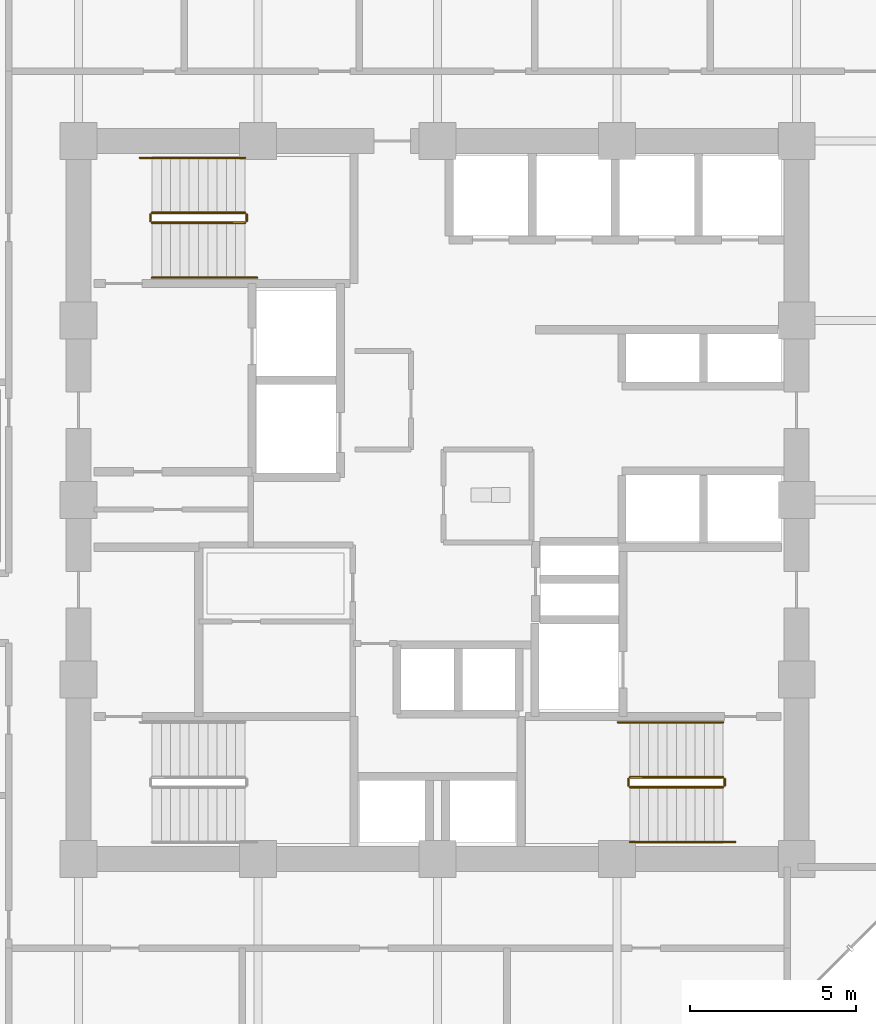
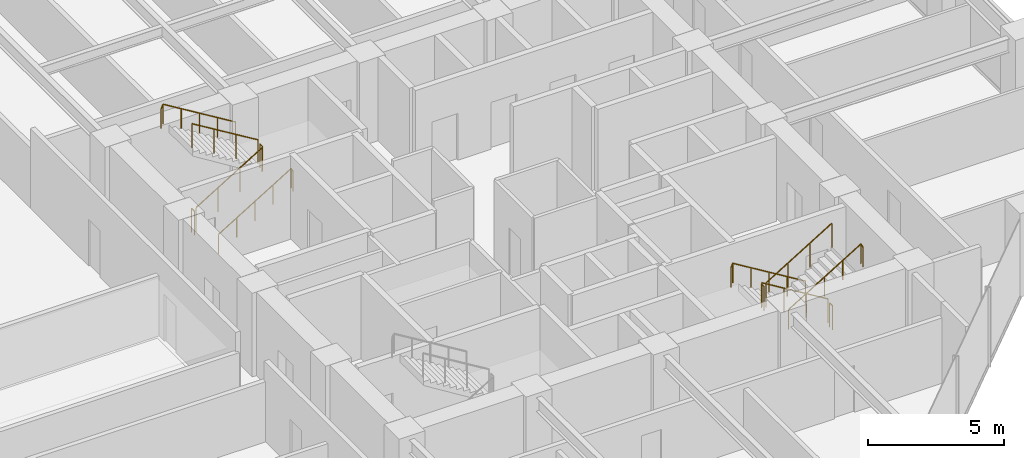
# One storey, part 24 of 25: 12 railings.
"""IFC4 building model written with IfcOpenShell, lengths in metres."""

from ifc_helpers import new_model, si_unit, direction, frame, origin, origin_2d, place, context, subcontext, project, spatial, circle, extrude, material, type_object, element, save


model = new_model("IFC4")

# Units and contexts
model_context = context("Model", 3, precision=1e-05, world=origin(), true_north=direction((0.0, 1.0)))
body_context = subcontext(model_context, "Body", "Model", "MODEL_VIEW")
ifc_project = project(units=[si_unit("LENGTHUNIT", "METRE"), si_unit("AREAUNIT", "SQUARE_METRE"), si_unit("VOLUMEUNIT", "CUBIC_METRE"), si_unit("PLANEANGLEUNIT", "RADIAN"), si_unit("MASSUNIT", "GRAM", prefix="KILO")], contexts=[model_context])

# Site, building, storey
site_placement = place(None, origin())
site = spatial("IfcSite", under=ifc_project, at=site_placement, CompositionType="ELEMENT")
building_placement = place(site_placement, origin())
building = spatial("IfcBuilding", under=site, at=building_placement, Name="Surkhivell Harbour Commons", CompositionType="ELEMENT")
storey_placement = place(building_placement, frame((0.0, 0.0, 124.5)))
storey = spatial("IfcBuildingStorey", under=building, at=storey_placement, Name="L32", CompositionType="ELEMENT", Elevation=124.5)

# Railings
ifc_material_1 = material(Name="Galvanised and painted steel S355 guard rail", Category="steel")
railing_type_1 = type_object("IfcRailingType", Name="RAL-ST-GRD1100", PredefinedType="GUARDRAIL", material=ifc_material_1)
railing_1_placement = place(storey_placement, frame((-8.590087890625, 8.340087890625, 0.17041015625)))
element("IfcRailing", 1, at=railing_1_placement, inside=storey, type_object=railing_type_1, Name="L32 ST1 stair guard 1", PredefinedType="GUARDRAIL", context=body_context, shape_type="SweptSolid", body=[
    extrude(circle(Radius=0.02392578125, at=origin_2d()), frame((0.0, 0.0, 1.076171875), z_axis=(0.854169791009, 0.0, 0.51999420009), x_axis=(0.0, 1.0, 0.0)), (0.0, 0.0, 1.0), 3.278076171875),
    extrude(circle(Radius=0.02099609375, at=origin_2d()), origin(), (0.0, 0.0, 1.0), 1.052001953125),
    extrude(circle(Radius=0.02099609375, at=origin_2d()), frame((0.933349609375, 0.0, 0.568115234375)), (0.0, 0.0, 1.0), 1.052001953125),
    extrude(circle(Radius=0.02099609375, at=origin_2d()), frame((1.86669921875, 0.0, 1.136474609375)), (0.0, 0.0, 1.0), 1.052001953125),
    extrude(circle(Radius=0.02099609375, at=origin_2d()), frame((2.800048828125, 0.0, 1.70458984375)), (0.0, 0.0, 1.0), 1.052001953125),
])
railing_2_placement = place(storey_placement, frame((-5.739990234375, 8.389892578125, 1.875)))
element("IfcRailing", 2, at=railing_2_placement, inside=storey, type_object=railing_type_1, Name="L32 ST1 stair guard 2", PredefinedType="GUARDRAIL", context=body_context, shape_type="SweptSolid", body=[
    extrude(circle(Radius=0.02392578125, at=origin_2d()), frame((0.0, 0.0, 1.076171875), z_axis=(0.0, 1.0, 0.0), x_axis=(-1.0, 0.0, 0.0)), (0.0, 0.0, 1.0), 0.2001953125),
    extrude(circle(Radius=0.02099609375, at=origin_2d()), origin(), (0.0, 0.0, 1.0), 1.052001953125),
    extrude(circle(Radius=0.02099609375, at=origin_2d()), frame((0.0, 0.2001953125, 0.0)), (0.0, 0.0, 1.0), 1.052001953125),
])
railing_3_placement = place(storey_placement, frame((-5.7900390625, 8.639892578125, 2.04541015625)))
element("IfcRailing", 3, at=railing_3_placement, inside=storey, type_object=railing_type_1, Name="L32 ST1 stair guard 3", PredefinedType="GUARDRAIL", context=body_context, shape_type="SweptSolid", body=[
    extrude(circle(Radius=0.02392578125, at=origin_2d()), frame((0.0, 0.0, 1.076171875), z_axis=(-0.854169791009, 0.0, 0.51999420009), x_axis=(0.0, -1.0, 0.0)), (0.0, 0.0, 1.0), 3.278076171875),
    extrude(circle(Radius=0.02099609375, at=origin_2d()), origin(), (0.0, 0.0, 1.0), 1.052001953125),
    extrude(circle(Radius=0.02099609375, at=origin_2d()), frame((-0.933349609375, 0.0, 0.568115234375)), (0.0, 0.0, 1.0), 1.052001953125),
    extrude(circle(Radius=0.02099609375, at=origin_2d()), frame((-1.86669921875, 0.0, 1.136474609375)), (0.0, 0.0, 1.0), 1.052001953125),
    extrude(circle(Radius=0.02099609375, at=origin_2d()), frame((-2.800048828125, 0.0, 1.70458984375)), (0.0, 0.0, 1.0), 1.052001953125),
])
railing_4_placement = place(storey_placement, frame((-8.639892578125, 8.389892578125, 0.0)))
element("IfcRailing", 4, at=railing_4_placement, inside=storey, type_object=railing_type_1, Name="L32 ST1 stair guard 4", PredefinedType="GUARDRAIL", context=body_context, shape_type="SweptSolid", body=[
    extrude(circle(Radius=0.02392578125, at=origin_2d()), frame((0.0, 0.0, 1.076171875), z_axis=(0.0, 1.0, 0.0), x_axis=(-1.0, 0.0, 0.0)), (0.0, 0.0, 1.0), 0.2001953125),
    extrude(circle(Radius=0.02099609375, at=origin_2d()), origin(), (0.0, 0.0, 1.0), 1.052001953125),
    extrude(circle(Radius=0.02099609375, at=origin_2d()), frame((0.0, 0.2001953125, 0.0)), (0.0, 0.0, 1.0), 1.052001953125),
])
railing_5_placement = place(storey_placement, frame((8.590087890625, -8.340087890625, 0.17041015625)))
element("IfcRailing", 5, at=railing_5_placement, inside=storey, type_object=railing_type_1, Name="L32 ST2 stair guard 1", PredefinedType="GUARDRAIL", context=body_context, shape_type="SweptSolid", body=[
    extrude(circle(Radius=0.02392578125, at=origin_2d()), frame((0.0, 0.0, 1.076171875), z_axis=(-0.854169791009, 0.0, 0.51999420009), x_axis=(0.0, -1.0, 0.0)), (0.0, 0.0, 1.0), 3.278076171875),
    extrude(circle(Radius=0.02099609375, at=origin_2d()), origin(), (0.0, 0.0, 1.0), 1.052001953125),
    extrude(circle(Radius=0.02099609375, at=origin_2d()), frame((-0.933349609375, 0.0, 0.568115234375)), (0.0, 0.0, 1.0), 1.052001953125),
    extrude(circle(Radius=0.02099609375, at=origin_2d()), frame((-1.86669921875, 0.0, 1.136474609375)), (0.0, 0.0, 1.0), 1.052001953125),
    extrude(circle(Radius=0.02099609375, at=origin_2d()), frame((-2.800048828125, 0.0, 1.70458984375)), (0.0, 0.0, 1.0), 1.052001953125),
])
railing_6_placement = place(storey_placement, frame((5.739990234375, -8.389892578125, 1.875)))
element("IfcRailing", 6, at=railing_6_placement, inside=storey, type_object=railing_type_1, Name="L32 ST2 stair guard 2", PredefinedType="GUARDRAIL", context=body_context, shape_type="SweptSolid", body=[
    extrude(circle(Radius=0.02392578125, at=origin_2d()), frame((0.0, 0.0, 1.076171875), z_axis=(0.0, -1.0, 0.0), x_axis=(1.0, 0.0, 0.0)), (0.0, 0.0, 1.0), 0.2001953125),
    extrude(circle(Radius=0.02099609375, at=origin_2d()), origin(), (0.0, 0.0, 1.0), 1.052001953125),
    extrude(circle(Radius=0.02099609375, at=origin_2d()), frame((0.0, -0.2001953125, 0.0)), (0.0, 0.0, 1.0), 1.052001953125),
])
railing_7_placement = place(storey_placement, frame((5.7900390625, -8.639892578125, 2.04541015625)))
element("IfcRailing", 7, at=railing_7_placement, inside=storey, type_object=railing_type_1, Name="L32 ST2 stair guard 3", PredefinedType="GUARDRAIL", context=body_context, shape_type="SweptSolid", body=[
    extrude(circle(Radius=0.02392578125, at=origin_2d()), frame((0.0, 0.0, 1.076171875), z_axis=(0.854169791009, 0.0, 0.51999420009), x_axis=(0.0, 1.0, 0.0)), (0.0, 0.0, 1.0), 3.278076171875),
    extrude(circle(Radius=0.02099609375, at=origin_2d()), origin(), (0.0, 0.0, 1.0), 1.052001953125),
    extrude(circle(Radius=0.02099609375, at=origin_2d()), frame((0.933349609375, 0.0, 0.568115234375)), (0.0, 0.0, 1.0), 1.052001953125),
    extrude(circle(Radius=0.02099609375, at=origin_2d()), frame((1.86669921875, 0.0, 1.136474609375)), (0.0, 0.0, 1.0), 1.052001953125),
    extrude(circle(Radius=0.02099609375, at=origin_2d()), frame((2.800048828125, 0.0, 1.70458984375)), (0.0, 0.0, 1.0), 1.052001953125),
])
railing_8_placement = place(storey_placement, frame((8.639892578125, -8.389892578125, 0.0)))
element("IfcRailing", 8, at=railing_8_placement, inside=storey, type_object=railing_type_1, Name="L32 ST2 stair guard 4", PredefinedType="GUARDRAIL", context=body_context, shape_type="SweptSolid", body=[
    extrude(circle(Radius=0.02392578125, at=origin_2d()), frame((0.0, 0.0, 1.076171875), z_axis=(0.0, -1.0, 0.0), x_axis=(1.0, 0.0, 0.0)), (0.0, 0.0, 1.0), 0.2001953125),
    extrude(circle(Radius=0.02099609375, at=origin_2d()), origin(), (0.0, 0.0, 1.0), 1.052001953125),
    extrude(circle(Radius=0.02099609375, at=origin_2d()), frame((0.0, -0.2001953125, 0.0)), (0.0, 0.0, 1.0), 1.052001953125),
])
ifc_material_2 = material(Name="Brushed stainless steel S355 handrail", Category="steel")
railing_type_2 = type_object("IfcRailingType", Name="RAL-ST-HND900", PredefinedType="HANDRAIL", material=ifc_material_2)
railing_9_placement = place(storey_placement, frame((-8.590087890625, 6.68994140625, 0.17041015625)))
element("IfcRailing", 9, at=railing_9_placement, inside=storey, type_object=railing_type_2, Name="L32 ST1 stair handrail 1", PredefinedType="HANDRAIL", context=body_context, shape_type="SweptSolid", body=[
    extrude(circle(Radius=0.02392578125, at=origin_2d()), frame((0.0, 0.0, 0.8759765625), z_axis=(0.854177636135, 0.0, 0.519981313056), x_axis=(0.0, 1.0, 0.0)), (0.0, 0.0, 1.0), 3.60595703125),
    extrude(circle(Radius=0.02392578125, at=origin_2d()), frame((3.080078125, 0.0, 2.7509765625), z_axis=(0.425297416671, 0.0, -0.905053648892), x_axis=(0.0, 1.0, 0.0)), (0.0, 0.0, 1.0), 0.188232421875),
    extrude(circle(Radius=0.02099609375, at=origin_2d()), origin(), (0.0, 0.0, 1.0), 0.851806640625),
    extrude(circle(Radius=0.02099609375, at=origin_2d()), frame((0.77001953125, 0.0, 0.46875)), (0.0, 0.0, 1.0), 0.851806640625),
    extrude(circle(Radius=0.02099609375, at=origin_2d()), frame((1.5400390625, 0.0, 0.9375)), (0.0, 0.0, 1.0), 0.851806640625),
    extrude(circle(Radius=0.02099609375, at=origin_2d()), frame((2.31005859375, 0.0, 1.40625)), (0.0, 0.0, 1.0), 0.851806640625),
    extrude(circle(Radius=0.02099609375, at=origin_2d()), frame((3.080078125, 0.0, 1.875)), (0.0, 0.0, 1.0), 0.851806640625),
    extrude(circle(Radius=0.02099609375, at=origin_2d()), frame((3.16015625, 0.0, 1.70458984375)), (0.0, 0.0, 1.0), 0.851806640625),
])
railing_10_placement = place(storey_placement, frame((-5.7900390625, 10.2900390625, 2.04541015625)))
element("IfcRailing", 10, at=railing_10_placement, inside=storey, type_object=railing_type_2, Name="L32 ST1 stair handrail 2", PredefinedType="HANDRAIL", context=body_context, shape_type="SweptSolid", body=[
    extrude(circle(Radius=0.02392578125, at=origin_2d()), frame((0.0, 0.0, 0.8759765625), z_axis=(-0.854177636135, 0.0, 0.519981313056), x_axis=(0.0, -1.0, 0.0)), (0.0, 0.0, 1.0), 3.60595703125),
    extrude(circle(Radius=0.02392578125, at=origin_2d()), frame((-3.080078125, 0.0, 2.7509765625), z_axis=(-0.424234432967, 0.0, -0.905552398199), x_axis=(0.0, -1.0, 0.0)), (0.0, 0.0, 1.0), 0.188232421875),
    extrude(circle(Radius=0.02099609375, at=origin_2d()), origin(), (0.0, 0.0, 1.0), 0.851806640625),
    extrude(circle(Radius=0.02099609375, at=origin_2d()), frame((-0.77001953125, 0.0, 0.46875)), (0.0, 0.0, 1.0), 0.851806640625),
    extrude(circle(Radius=0.02099609375, at=origin_2d()), frame((-1.5400390625, 0.0, 0.9375)), (0.0, 0.0, 1.0), 0.851806640625),
    extrude(circle(Radius=0.02099609375, at=origin_2d()), frame((-2.31005859375, 0.0, 1.40625)), (0.0, 0.0, 1.0), 0.851806640625),
    extrude(circle(Radius=0.02099609375, at=origin_2d()), frame((-3.080078125, 0.0, 1.875)), (0.0, 0.0, 1.0), 0.851806640625),
    extrude(circle(Radius=0.02099609375, at=origin_2d()), frame((-3.159912109375, 0.0, 1.70458984375)), (0.0, 0.0, 1.0), 0.851806640625),
])
railing_11_placement = place(storey_placement, frame((8.590087890625, -6.68994140625, 0.17041015625)))
element("IfcRailing", 11, at=railing_11_placement, inside=storey, type_object=railing_type_2, Name="L32 ST2 stair handrail 1", PredefinedType="HANDRAIL", context=body_context, shape_type="SweptSolid", body=[
    extrude(circle(Radius=0.02392578125, at=origin_2d()), frame((0.0, 0.0, 0.8759765625), z_axis=(-0.854177636135, 0.0, 0.519981313056), x_axis=(0.0, -1.0, 0.0)), (0.0, 0.0, 1.0), 3.60595703125),
    extrude(circle(Radius=0.02392578125, at=origin_2d()), frame((-3.080078125, 0.0, 2.7509765625), z_axis=(-0.425297416671, 0.0, -0.905053648892), x_axis=(0.0, -1.0, 0.0)), (0.0, 0.0, 1.0), 0.188232421875),
    extrude(circle(Radius=0.02099609375, at=origin_2d()), origin(), (0.0, 0.0, 1.0), 0.851806640625),
    extrude(circle(Radius=0.02099609375, at=origin_2d()), frame((-0.77001953125, 0.0, 0.46875)), (0.0, 0.0, 1.0), 0.851806640625),
    extrude(circle(Radius=0.02099609375, at=origin_2d()), frame((-1.5400390625, 0.0, 0.9375)), (0.0, 0.0, 1.0), 0.851806640625),
    extrude(circle(Radius=0.02099609375, at=origin_2d()), frame((-2.31005859375, 0.0, 1.40625)), (0.0, 0.0, 1.0), 0.851806640625),
    extrude(circle(Radius=0.02099609375, at=origin_2d()), frame((-3.080078125, 0.0, 1.875)), (0.0, 0.0, 1.0), 0.851806640625),
    extrude(circle(Radius=0.02099609375, at=origin_2d()), frame((-3.16015625, 0.0, 1.70458984375)), (0.0, 0.0, 1.0), 0.851806640625),
])
railing_12_placement = place(storey_placement, frame((5.7900390625, -10.2900390625, 2.04541015625)))
element("IfcRailing", 12, at=railing_12_placement, inside=storey, type_object=railing_type_2, Name="L32 ST2 stair handrail 2", PredefinedType="HANDRAIL", context=body_context, shape_type="SweptSolid", body=[
    extrude(circle(Radius=0.02392578125, at=origin_2d()), frame((0.0, 0.0, 0.8759765625), z_axis=(0.854177636135, 0.0, 0.519981313056), x_axis=(0.0, 1.0, 0.0)), (0.0, 0.0, 1.0), 3.60595703125),
    extrude(circle(Radius=0.02392578125, at=origin_2d()), frame((3.080078125, 0.0, 2.7509765625), z_axis=(0.424234432967, 0.0, -0.905552398199), x_axis=(0.0, 1.0, 0.0)), (0.0, 0.0, 1.0), 0.188232421875),
    extrude(circle(Radius=0.02099609375, at=origin_2d()), origin(), (0.0, 0.0, 1.0), 0.851806640625),
    extrude(circle(Radius=0.02099609375, at=origin_2d()), frame((0.77001953125, 0.0, 0.46875)), (0.0, 0.0, 1.0), 0.851806640625),
    extrude(circle(Radius=0.02099609375, at=origin_2d()), frame((1.5400390625, 0.0, 0.9375)), (0.0, 0.0, 1.0), 0.851806640625),
    extrude(circle(Radius=0.02099609375, at=origin_2d()), frame((2.31005859375, 0.0, 1.40625)), (0.0, 0.0, 1.0), 0.851806640625),
    extrude(circle(Radius=0.02099609375, at=origin_2d()), frame((3.080078125, 0.0, 1.875)), (0.0, 0.0, 1.0), 0.851806640625),
    extrude(circle(Radius=0.02099609375, at=origin_2d()), frame((3.159912109375, 0.0, 1.70458984375)), (0.0, 0.0, 1.0), 0.851806640625),
])

save(model, "model.ifc")
